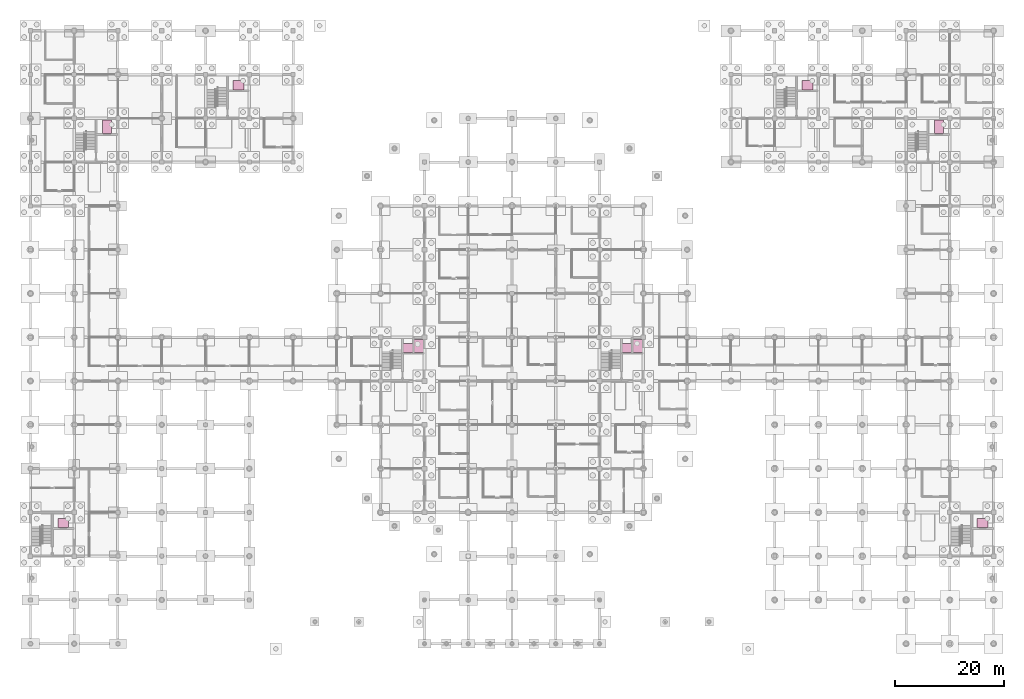
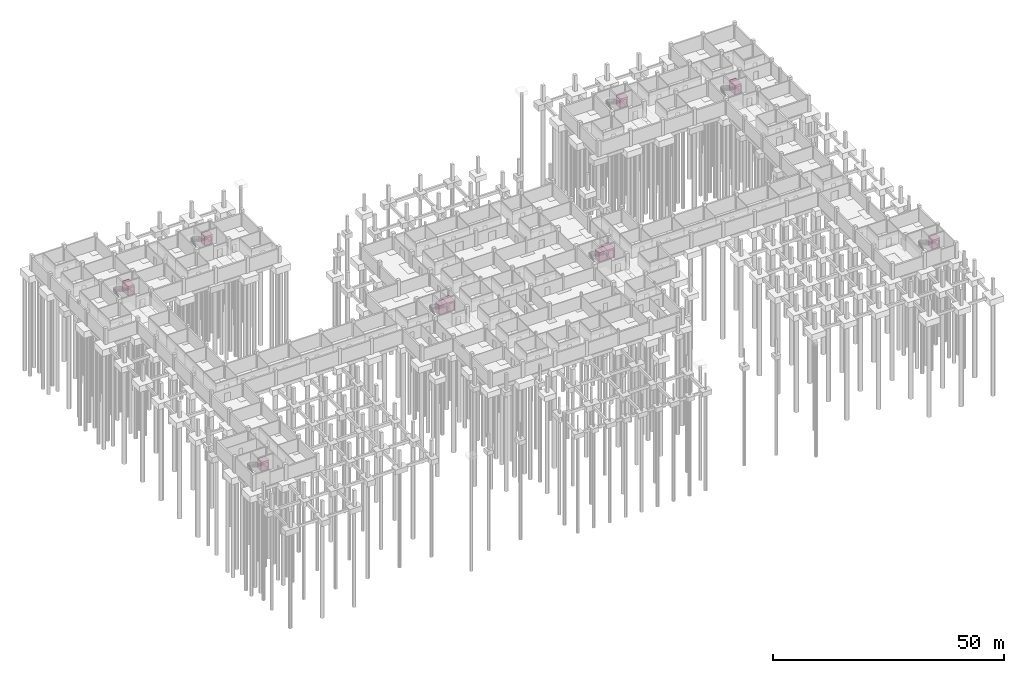
# One storey, part 48 of 48: 10 transport elements.
"""IFC4 building model written with IfcOpenShell, lengths in metres."""

import ifcopenshell
import ifcopenshell.guid

model = None  # the IFC model being written
_history = None  # IfcOwnerHistory: only IFC2X3 demands one
_inside = {}  # id of a spatial element -> (the spatial element, [elements in it])
_under = {}  # id of a project, library or spatial element -> (it, [spatial elements below it])
_declared = {}  # id of a project -> (the project, [libraries it declares])
_typed = {}  # id of a type object -> (the type object, [elements of that type])
_made_of = {}  # id of a material, layer set ... -> (it, [elements and type objects made of it])


def new_model(schema):
    """Start an empty IFC model of exactly this schema.

    Asked for "IFC4X3", IfcOpenShell would pick the latest addendum, in which some entities
    have other attributes; the version numbers below select the first issue.
    IFC2X3 requires an IfcOwnerHistory on every rooted entity: one is made here for all.
    """
    global model, _history
    if schema == "IFC4X3":
        model = ifcopenshell.file(schema_version=(4, 3, 0, 0))
    else:
        model = ifcopenshell.file(schema=schema)
    _inside.clear()
    _under.clear()
    _declared.clear()
    _typed.clear()
    _made_of.clear()
    _history = None
    if model.schema == "IFC2X3":
        org = make("IfcOrganization", Name="unknown")
        user = make(
            "IfcPersonAndOrganization",
            ThePerson=make("IfcPerson", FamilyName="unknown"),
            TheOrganization=org,
        )
        app = make(
            "IfcApplication",
            ApplicationDeveloper=org,
            Version="unknown",
            ApplicationFullName="unknown",
            ApplicationIdentifier="unknown",
        )
        _history = make(
            "IfcOwnerHistory",
            OwningUser=user,
            OwningApplication=app,
            ChangeAction="ADDED",
            CreationDate=0,
        )
    return model


def make(cls, **values):
    """One entity of the class cls with the attributes given. An attribute that is None is left unset."""
    return model.create_entity(
        cls, **{name: value for name, value in values.items() if value is not None}
    )


def rooted(cls, **values):
    """An entity with a GlobalId (a new one), such as an element, a storey or a relation."""
    return make(cls, GlobalId=ifcopenshell.guid.new(), OwnerHistory=_history, **values)


def si_unit(unit_type, name, prefix=None):
    """IfcSIUnit, for example si_unit("LENGTHUNIT", "METRE", prefix="MILLI")."""
    return make("IfcSIUnit", UnitType=unit_type, Prefix=prefix, Name=name)


def derived_unit(unit_type, elements):
    """IfcDerivedUnit: a product of units, each with its exponent."""
    return make(
        "IfcDerivedUnit",
        Elements=[
            make("IfcDerivedUnitElement", Unit=unit, Exponent=power)
            for unit, power in elements
        ],
        UnitType=unit_type,
    )


def assignment(units):
    """IfcUnitAssignment: the units of a project."""
    return None if units is None else make("IfcUnitAssignment", Units=units)


def point(xyz):
    """IfcCartesianPoint."""
    return None if xyz is None else make("IfcCartesianPoint", Coordinates=xyz)


def direction(xyz):
    """IfcDirection."""
    return None if xyz is None else make("IfcDirection", DirectionRatios=xyz)


def frame(location, z_axis=None, x_axis=None):
    """IfcAxis2Placement3D, a coordinate frame: its origin and axes. An axis left out is left unset."""
    return make(
        "IfcAxis2Placement3D",
        Location=point(location),
        Axis=direction(z_axis),
        RefDirection=direction(x_axis),
    )


def frame_2d(location, x_axis=None):
    """IfcAxis2Placement2D, a coordinate frame in the plane: its origin and x axis."""
    return make(
        "IfcAxis2Placement2D", Location=point(location), RefDirection=direction(x_axis)
    )


def origin():
    """The frame at (0, 0, 0) with its axes left unset."""
    return frame((0.0, 0.0, 0.0))


def origin_2d():
    """The frame at (0, 0) in the plane with its x axis left unset."""
    return frame_2d((0.0, 0.0))


def place(relative_to, where):
    """IfcLocalPlacement: puts the frame where relative to a parent placement (None: the world)."""
    return make(
        "IfcLocalPlacement", PlacementRelTo=relative_to, RelativePlacement=where
    )


def context(
    kind, dimensions, precision=None, world=None, true_north=None, identifier=None
):
    """IfcGeometricRepresentationContext, for example the 3D "Model" context."""
    return make(
        "IfcGeometricRepresentationContext",
        ContextIdentifier=identifier,
        ContextType=kind,
        CoordinateSpaceDimension=dimensions,
        Precision=precision,
        WorldCoordinateSystem=world,
        TrueNorth=true_north,
    )


def subcontext(parent, identifier, kind, view, scale=None):
    """IfcGeometricRepresentationSubContext, for example "Body" below "Model"."""
    return make(
        "IfcGeometricRepresentationSubContext",
        ContextIdentifier=identifier,
        ContextType=kind,
        ParentContext=parent,
        TargetScale=scale,
        TargetView=view,
    )


def project(units=None, contexts=None):
    """IfcProject with its units and contexts."""
    return rooted(
        "IfcProject",
        Name="project",
        RepresentationContexts=contexts,
        UnitsInContext=assignment(units),
    )


def spatial(cls, under=None, at=None, **own):
    """A site, building, storey or space (cls), placed at a placement, below another one or the project."""
    s = rooted(cls, ObjectPlacement=at, **own)
    if under is not None:
        _under.setdefault(under.id(), (under, []))[1].append(s)
    return s


def profile(cls, at=None, kind="AREA", **sizes):
    """A parametric profile (cls). Its sizes go by their IFC names, for example OverallWidth=200.0."""
    return make(cls, ProfileType=kind, Position=at, **sizes)


def rectangle(**sizes):
    """IfcRectangleProfileDef."""
    return profile("IfcRectangleProfileDef", **sizes)


def extrude(swept, where, along, depth):
    """IfcExtrudedAreaSolid: the profile swept, set in the frame where, extruded along a direction by depth."""
    return make(
        "IfcExtrudedAreaSolid",
        SweptArea=swept,
        Position=where,
        ExtrudedDirection=direction(along),
        Depth=depth,
    )


def shape(context_of_items, identifier, shape_type, items):
    """IfcShapeRepresentation: the items that make up one representation, for example the "Body"."""
    return make(
        "IfcShapeRepresentation",
        ContextOfItems=context_of_items,
        RepresentationIdentifier=identifier,
        RepresentationType=shape_type,
        Items=items,
    )


def material(Name=None, Category=None):
    """IfcMaterial."""
    return make("IfcMaterial", Name=Name, Category=Category)


def made_of(thing, what):
    """Note that an element or type object is made of a material, layer set ...; save() writes the relation."""
    if what is not None:
        _made_of.setdefault(what.id(), (what, []))[1].append(thing)
    return thing


def type_object(cls, material=None, **own):
    """A type object (cls), such as IfcWallType, which elements share."""
    return made_of(rooted(cls, **own), material)


def element(
    cls,
    number,
    at=None,
    inside=None,
    cuts=None,
    type_object=None,
    material=None,
    context=None,
    identifier="Body",
    shape_type=None,
    held_by="IfcProductDefinitionShape",
    body=None,
    shapes=None,
    **own,
):
    """One element of the class cls, such as IfcWall. Its Tag is "e" and its number.

    at: its placement. inside: the storey or other place that contains it. cuts: it is an
    opening in that element (IfcRelVoidsElement). A single representation is given by context,
    identifier, shape_type and body (its items); several are given by shapes. held_by: the class
    of the entity that holds the representations. save() writes the other relations.
    """
    e = rooted(cls, Tag="e%d" % number, ObjectPlacement=at, **own)
    if body is not None:
        shapes = [shape(context, identifier, shape_type, body)]
    if shapes is not None:
        e.Representation = make(held_by, Representations=shapes)
    if inside is not None:
        _inside.setdefault(inside.id(), (inside, []))[1].append(e)
    if cuts is not None:
        rooted(
            "IfcRelVoidsElement", RelatingBuildingElement=cuts, RelatedOpeningElement=e
        )
    if type_object is not None:
        _typed.setdefault(type_object.id(), (type_object, []))[1].append(e)
    return made_of(e, material)


def aggregate(whole, parts):
    """IfcRelAggregates: a whole, such as a stair, and the parts it consists of."""
    return rooted("IfcRelAggregates", RelatingObject=whole, RelatedObjects=parts)


def save(model, path):
    """Write the relations noted so far, then the file.

    IfcRelAggregates (storeys below a building ...), IfcRelContainedInSpatialStructure (elements
    in a storey), IfcRelDefinesByType, IfcRelAssociatesMaterial and IfcRelDeclares: one each for
    every whole, place, type object, material and project.
    """
    for whole, parts in _under.values():
        aggregate(whole, parts)
    for where, things in _inside.values():
        rooted(
            "IfcRelContainedInSpatialStructure",
            RelatedElements=things,
            RelatingStructure=where,
        )
    for kind, things in _typed.values():
        rooted("IfcRelDefinesByType", RelatedObjects=things, RelatingType=kind)
    for what, things in _made_of.values():
        rooted("IfcRelAssociatesMaterial", RelatedObjects=things, RelatingMaterial=what)
    for by, libraries in _declared.values():
        rooted("IfcRelDeclares", RelatingContext=by, RelatedDefinitions=libraries)
    model.write(path)


model = new_model("IFC4")

# Units and contexts
model_context = context("Model", 3, precision=1e-05, world=origin(), true_north=direction((0.0, 1.0)))
body_context = subcontext(model_context, "Body", "Model", "MODEL_VIEW")
ifc_project = project(units=[si_unit("LENGTHUNIT", "METRE"), si_unit("AREAUNIT", "SQUARE_METRE"), si_unit("VOLUMEUNIT", "CUBIC_METRE"), si_unit("PLANEANGLEUNIT", "RADIAN"), si_unit("MASSUNIT", "GRAM", prefix="KILO"), derived_unit("THERMALTRANSMITTANCEUNIT", [(si_unit("MASSUNIT", "GRAM", prefix="KILO"), 1), (si_unit("TIMEUNIT", "SECOND"), -3), (si_unit("THERMODYNAMICTEMPERATUREUNIT", "KELVIN"), -1)])], contexts=[model_context])

# Site, building, storey
site_placement = place(None, origin())
site = spatial("IfcSite", under=ifc_project, at=site_placement, CompositionType="ELEMENT")
building_placement = place(site_placement, origin())
building = spatial("IfcBuilding", under=site, at=building_placement, Name="Veyamyaing Civic Hall", CompositionType="ELEMENT")
storey_placement = place(building_placement, frame((0.0, 0.0, -4.2900390625)))
storey = spatial("IfcBuildingStorey", under=building, at=storey_placement, Name="B1", CompositionType="ELEMENT", Elevation=-4.2900390625)

# Transport elements
ifc_material = material(Name="Steel S355J2", Category="steel")
transport_element_type_1 = type_object("IfcTransportElementType", Name="LF-FF", PredefinedType="ELEVATOR", material=ifc_material)
for number, where, z_axis, x_axis, name in (
    (1, (14.0, 94.445068359375, 0.0), (0.0, 0.0, 1.0), (1.0, 0.0, 0.0), "Elevator FL-01"),
    (2, (166.0, 94.445068359375, 0.0), (0.0, 0.0, 1.0), (1.0, 0.0, 0.0), "Elevator FL-02"),
):
    element("IfcTransportElement", number, at=place(storey_placement, frame(where, z_axis=z_axis, x_axis=x_axis)), inside=storey, type_object=transport_element_type_1, Name=name, PredefinedType="ELEVATOR", context=body_context, shape_type="SweptSolid", body=[
        extrude(rectangle(XDim=1.64990234375, YDim=2.449951171875, at=origin_2d()), origin(), (0.0, 0.0, 1.0), 2.39990234375),
    ])
transport_element_type_2 = type_object("IfcTransportElementType", Name="LF-GDS", PredefinedType="ELEVATOR", material=ifc_material)
for number, where, z_axis, x_axis, name in (
    (3, (70.949951171875, 54.419921875, 0.0), (0.0, 0.0, 1.0), (1.0, 0.0, 0.0), "Elevator GL-01"),
    (4, (110.949951171875, 54.419921875, 0.0), (0.0, 0.0, 1.0), (1.0, 0.0, 0.0), "Elevator GL-02"),
):
    element("IfcTransportElement", number, at=place(storey_placement, frame(where, z_axis=z_axis, x_axis=x_axis)), inside=storey, type_object=transport_element_type_2, Name=name, PredefinedType="ELEVATOR", context=body_context, shape_type="SweptSolid", body=[
        extrude(rectangle(XDim=2.0, YDim=2.39990234375, at=origin_2d()), origin(), (0.0, 0.0, 1.0), 2.39990234375),
    ])
transport_element_type_3 = type_object("IfcTransportElementType", Name="LF-PAX", PredefinedType="ELEVATOR", material=ifc_material)
for number, where, z_axis, x_axis, name in (
    (5, (38.0, 102.044921875, 0.0), (0.0, 0.0, 1.0), (1.0, 0.0, 0.0), "Elevator PL-01"),
    (6, (142.0, 102.044921875, 0.0), (0.0, 0.0, 1.0), (1.0, 0.0, 0.0), "Elevator PL-02"),
    (7, (69.050048828125, 54.044921875, 0.0), (0.0, 0.0, 1.0), (1.0, 0.0, 0.0), "Elevator PL-03"),
    (8, (109.050048828125, 54.044921875, 0.0), (0.0, 0.0, 1.0), (1.0, 0.0, 0.0), "Elevator PL-04"),
    (9, (6.0, 22.044921875, 0.0), (0.0, 0.0, 1.0), (1.0, 0.0, 0.0), "Elevator PL-05"),
    (10, (174.0, 22.044921875, 0.0), (0.0, 0.0, 1.0), (1.0, 0.0, 0.0), "Elevator PL-06"),
):
    element("IfcTransportElement", number, at=place(storey_placement, frame(where, z_axis=z_axis, x_axis=x_axis)), inside=storey, type_object=transport_element_type_3, Name=name, PredefinedType="ELEVATOR", context=body_context, shape_type="SweptSolid", body=[
        extrude(rectangle(XDim=2.0, YDim=1.64990234375, at=origin_2d()), origin(), (0.0, 0.0, 1.0), 2.39990234375),
    ])

save(model, "model.ifc")
